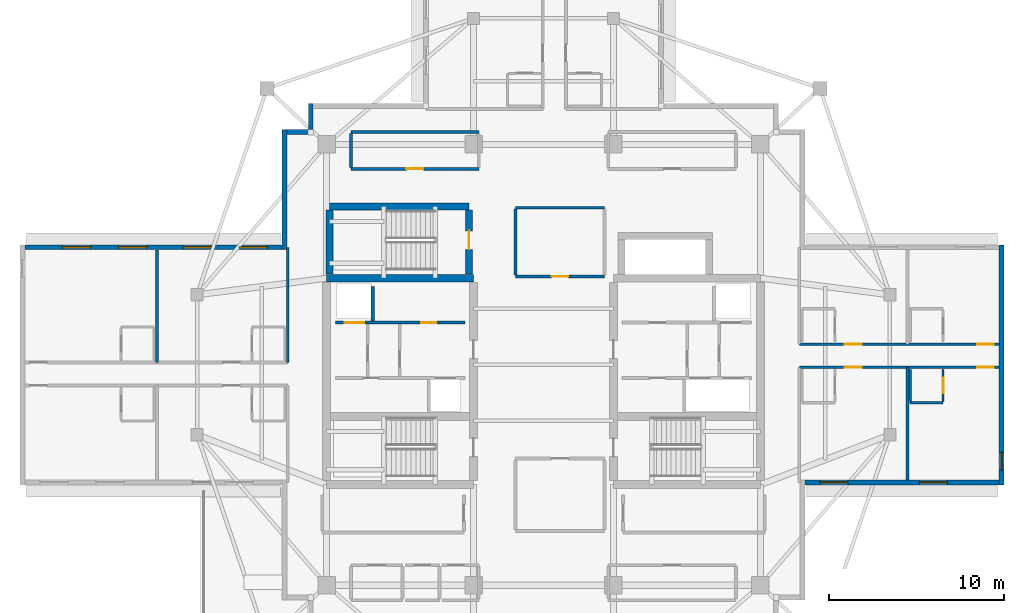
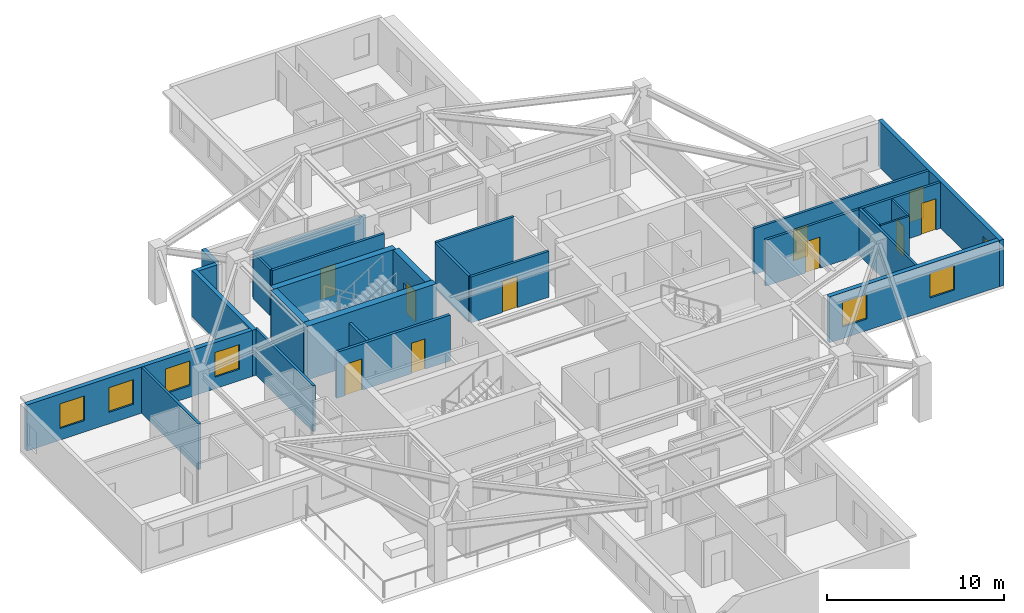
# One storey, part 6 of 12: 26 walls, 10 doors, 7 windows, 17 openings.
"""IFC4 building model written with IfcOpenShell, lengths in metres."""

from ifc_helpers import new_model, si_unit, direction, frame, frame_2d, origin, place, context, subcontext, project, spatial, rectangle, extrude, material, layer, layer_set, type_object, element, fill, save


model = new_model("IFC4")

# Units and contexts
model_context = context("Model", 3, precision=1e-05, world=origin(), true_north=direction((0.0, 1.0)))
body_context = subcontext(model_context, "Body", "Model", "MODEL_VIEW")
ifc_project = project(units=[si_unit("LENGTHUNIT", "METRE"), si_unit("AREAUNIT", "SQUARE_METRE"), si_unit("VOLUMEUNIT", "CUBIC_METRE"), si_unit("PLANEANGLEUNIT", "RADIAN"), si_unit("MASSUNIT", "GRAM", prefix="KILO")], contexts=[model_context])

# Site, building, storey
site_placement = place(None, origin())
site = spatial("IfcSite", under=ifc_project, at=site_placement, CompositionType="ELEMENT")
building_placement = place(site_placement, origin())
building = spatial("IfcBuilding", under=site, at=building_placement, Name="Qingluan Cross Belvedere", CompositionType="ELEMENT")
storey_placement = place(building_placement, frame((0.0, 0.0, 265.5)))
storey = spatial("IfcBuildingStorey", under=building, at=storey_placement, Name="L66", CompositionType="ELEMENT", Elevation=265.5)

# Walls
ifc_material_1 = material(Name="Concrete C50", Category="concrete")
ifc_layer_1 = layer(ifc_material_1, 0.449951171875, Name="CoreShearWall_450")
ifc_layer_set_1 = layer_set([ifc_layer_1], Name="Concrete C50")
wall_type_1 = type_object("IfcWallType", Name="CoreShearWall_450", PredefinedType="SHEAR", material=ifc_layer_set_1)
wall_1_placement = place(storey_placement, frame((-12.39990234375, 4.949951171875, 0.0), z_axis=(0.0, 0.0, 1.0), x_axis=(1.0, 0.0, 0.0)))
element("IfcWall", 1, at=wall_1_placement, inside=storey, type_object=wall_type_1, Name="Split core W shear wall L66-N", PredefinedType="SHEAR", context=body_context, shape_type="SweptSolid", body=[
    extrude(rectangle(XDim=8.39990234375, YDim=0.449951171875, at=frame_2d((4.199951171875, 0.0))), origin(), (0.0, 0.0, 1.0), 3.699951171875),
])
wall_2_placement = place(storey_placement, frame((-12.219970703125, 9.0400390625, 0.0), z_axis=(0.0, 0.0, 1.0), x_axis=(1.0, 0.0, 0.0)))
element("IfcWall", 2, at=wall_2_placement, inside=storey, type_object=wall_type_1, Name="Stair ST3 structural wall N L66", PredefinedType="SHEAR", context=body_context, shape_type="SweptSolid", body=[
    extrude(rectangle(XDim=7.9599609375, YDim=0.39990234375, at=frame_2d((3.97998046875, 0.0))), origin(), (0.0, 0.0, 1.0), 3.699951171875),
])
wall_3_placement = place(storey_placement, frame((-12.219970703125, 5.179931640625, 0.0), z_axis=(0.0, 0.0, 1.0), x_axis=(0.0, 1.0, 0.0)))
element("IfcWall", 3, at=wall_3_placement, inside=storey, type_object=wall_type_1, Name="Stair ST3 structural wall W L66", PredefinedType="SHEAR", context=body_context, shape_type="SweptSolid", body=[
    extrude(rectangle(XDim=3.655029296875, YDim=0.39990234375, at=frame_2d((1.82763671875, 0.0))), origin(), (0.0, 0.0, 1.0), 3.699951171875),
])

# Wall, opening, door
wall_4_placement = place(storey_placement, frame((-4.260009765625, 5.179931640625, 0.0), z_axis=(0.0, 0.0, 1.0), x_axis=(0.0, 1.0, 0.0)))
wall_4 = element("IfcWall", 4, at=wall_4_placement, inside=storey, type_object=wall_type_1, Name="Stair ST3 structural wall E L66", PredefinedType="SHEAR", context=body_context, shape_type="SweptSolid", body=[
    extrude(rectangle(XDim=3.655029296875, YDim=0.39990234375, at=frame_2d((1.82763671875, 0.0))), origin(), (0.0, 0.0, 1.0), 3.699951171875),
])
opening_1_placement = place(wall_4_placement, frame((1.419921875, 0.0, 0.0)))
opening_1 = element("IfcOpeningElement", 5, at=opening_1_placement, cuts=wall_4, Name="Opening FD-B11", PredefinedType="OPENING", context=body_context, shape_type="SweptSolid", body=[
    extrude(rectangle(XDim=1.050048828125, YDim=2.14990234375, at=frame_2d((0.52490234375, 1.074951171875))), frame((0.0, 0.2099609375, 0.0), z_axis=(0.0, -1.0, 0.0), x_axis=(1.0, 0.0, 0.0)), (0.0, 0.0, 1.0), 0.419921875),
])
ifc_material_2 = material(Name="Steel Class B smoke-seal fire door", Category="steel")
door_type_1 = type_object("IfcDoorType", Name="StairLobbyFireDoor_FDB", OperationType="NOTDEFINED", PredefinedType="DOOR", material=ifc_material_2)
door_1_placement = place(opening_1_placement, origin())
door_1 = element("IfcDoor", 6, at=door_1_placement, inside=storey, type_object=door_type_1, Name="Smoke-proof stair ST3 fire door L66", OperationType="SINGLE_SWING_RIGHT", OverallHeight=2.14990234375, OverallWidth=1.050048828125, PredefinedType="DOOR", context=body_context, shape_type="SweptSolid", body=[
    extrude(rectangle(XDim=1.050048828125, YDim=2.14990234375, at=frame_2d((0.52490234375, 1.074951171875))), frame((0.0, 0.02490234375, 0.0), z_axis=(0.0, -1.0, 0.0), x_axis=(1.0, 0.0, 0.0)), (0.0, 0.0, 1.0), 0.050048828125),
])
fill(opening_1, door_1)

ifc_material_3 = material(Name="Gypsum plasterboard on steel stud acoustic partition", Category="steel")
ifc_layer_2 = layer(ifc_material_3, 0.159912109375, Name="CorridorPartition_160")
ifc_layer_set_2 = layer_set([ifc_layer_2], Name="Gypsum plasterboard on steel stud acoustic partition")
wall_type_2 = type_object("IfcWallType", Name="CorridorPartition_160", PredefinedType="PARTITIONING", material=ifc_layer_set_2)
wall_5_placement = place(storey_placement, frame((-11.0, 11.199951171875, 0.0), z_axis=(0.0, 0.0, 1.0), x_axis=(1.0, 0.0, 0.0)))
wall_5 = element("IfcWall", 7, at=wall_5_placement, inside=storey, type_object=wall_type_2, Name="Partition L66:q_nw_occ:S", PredefinedType="PARTITIONING", context=body_context, shape_type="SweptSolid", body=[
    extrude(rectangle(XDim=7.300048828125, YDim=0.159912109375, at=frame_2d((3.64990234375, 0.0))), origin(), (0.0, 0.0, 1.0), 3.169921875),
])
opening_2_placement = place(wall_5_placement, frame((3.169921875, 0.0, 0.0)))
opening_2 = element("IfcOpeningElement", 8, at=opening_2_placement, cuts=wall_5, Name="Opening GD-10", PredefinedType="OPENING", context=body_context, shape_type="SweptSolid", body=[
    extrude(rectangle(XDim=0.9599609375, YDim=2.14990234375, at=frame_2d((0.47998046875, 1.074951171875))), frame((0.0, 0.08984375, 0.0), z_axis=(0.0, -1.0, 0.0), x_axis=(1.0, 0.0, 0.0)), (0.0, 0.0, 1.0), 0.179931640625),
])
ifc_material_4 = material(Name="Timber oak fire-rated acoustic guestroom door", Category="wood")
door_type_2 = type_object("IfcDoorType", Name="GuestEntryDoor_FD60", OperationType="NOTDEFINED", PredefinedType="DOOR", material=ifc_material_4)
door_2_placement = place(opening_2_placement, origin())
door_2 = element("IfcDoor", 9, at=door_2_placement, inside=storey, type_object=door_type_2, Name="Northwest sky reading salon L66 door", OperationType="SINGLE_SWING_RIGHT", OverallHeight=2.14990234375, OverallWidth=0.9599609375, PredefinedType="DOOR", context=body_context, shape_type="SweptSolid", body=[
    extrude(rectangle(XDim=0.9599609375, YDim=2.14990234375, at=frame_2d((0.47998046875, 1.074951171875))), frame((0.0, 0.02490234375, 0.0), z_axis=(0.0, -1.0, 0.0), x_axis=(1.0, 0.0, 0.0)), (0.0, 0.0, 1.0), 0.050048828125),
])
fill(opening_2, door_2)

# Walls
wall_6_placement = place(storey_placement, frame((-11.0, 13.300048828125, 0.0), z_axis=(0.0, 0.0, 1.0), x_axis=(1.0, 0.0, 0.0)))
element("IfcWall", 10, at=wall_6_placement, inside=storey, type_object=wall_type_2, Name="Partition L66:q_nw_occ:N", PredefinedType="PARTITIONING", context=body_context, shape_type="SweptSolid", body=[
    extrude(rectangle(XDim=7.300048828125, YDim=0.159912109375, at=frame_2d((3.64990234375, 0.0))), origin(), (0.0, 0.0, 1.0), 3.169921875),
])
wall_7_placement = place(storey_placement, frame((-11.0, 11.284912109375, 0.0), z_axis=(0.0, 0.0, 1.0), x_axis=(0.0, 1.0, 0.0)))
element("IfcWall", 11, at=wall_7_placement, inside=storey, type_object=wall_type_2, Name="Partition L66:q_nw_occ:W", PredefinedType="PARTITIONING", context=body_context, shape_type="SweptSolid", body=[
    extrude(rectangle(XDim=1.93017578125, YDim=0.159912109375, at=frame_2d((0.965087890625, 0.0))), origin(), (0.0, 0.0, 1.0), 3.169921875),
])

# Wall, opening, door
wall_8_placement = place(storey_placement, frame((-1.60009765625, 5.050048828125, 0.0), z_axis=(0.0, 0.0, 1.0), x_axis=(1.0, 0.0, 0.0)))
wall_8 = element("IfcWall", 12, at=wall_8_placement, inside=storey, type_object=wall_type_2, Name="Partition L66:sky_tea_alcove:S", PredefinedType="PARTITIONING", context=body_context, shape_type="SweptSolid", body=[
    extrude(rectangle(XDim=5.080078125, YDim=0.159912109375, at=frame_2d((2.5400390625, 0.0))), origin(), (0.0, 0.0, 1.0), 3.169921875),
])
opening_3_placement = place(wall_8_placement, frame((2.06005859375, 0.0, 0.0)))
opening_3 = element("IfcOpeningElement", 13, at=opening_3_placement, cuts=wall_8, Name="Opening GD-10", PredefinedType="OPENING", context=body_context, shape_type="SweptSolid", body=[
    extrude(rectangle(XDim=0.9599609375, YDim=2.14990234375, at=frame_2d((0.47998046875, 1.074951171875))), frame((0.0, 0.08984375, 0.0), z_axis=(0.0, -1.0, 0.0), x_axis=(1.0, 0.0, 0.0)), (0.0, 0.0, 1.0), 0.179931640625),
])
door_3_placement = place(opening_3_placement, origin())
door_3 = element("IfcDoor", 14, at=door_3_placement, inside=storey, type_object=door_type_2, Name="Sky horizon tea salon L66 door", OperationType="SINGLE_SWING_RIGHT", OverallHeight=2.14990234375, OverallWidth=0.9599609375, PredefinedType="DOOR", context=body_context, shape_type="SweptSolid", body=[
    extrude(rectangle(XDim=0.9599609375, YDim=2.14990234375, at=frame_2d((0.47998046875, 1.074951171875))), frame((0.0, 0.02490234375, 0.0), z_axis=(0.0, -1.0, 0.0), x_axis=(1.0, 0.0, 0.0)), (0.0, 0.0, 1.0), 0.050048828125),
])
fill(opening_3, door_3)

# Walls
wall_9_placement = place(storey_placement, frame((-1.60009765625, 8.97998046875, 0.0), z_axis=(0.0, 0.0, 1.0), x_axis=(1.0, 0.0, 0.0)))
element("IfcWall", 15, at=wall_9_placement, inside=storey, type_object=wall_type_2, Name="Partition L66:sky_tea_alcove:N", PredefinedType="PARTITIONING", context=body_context, shape_type="SweptSolid", body=[
    extrude(rectangle(XDim=5.080078125, YDim=0.159912109375, at=frame_2d((2.5400390625, 0.0))), origin(), (0.0, 0.0, 1.0), 3.169921875),
])
wall_10_placement = place(storey_placement, frame((-1.60009765625, 5.135009765625, 0.0), z_axis=(0.0, 0.0, 1.0), x_axis=(0.0, 1.0, 0.0)))
element("IfcWall", 16, at=wall_10_placement, inside=storey, type_object=wall_type_2, Name="Partition L66:sky_tea_alcove:W", PredefinedType="PARTITIONING", context=body_context, shape_type="SweptSolid", body=[
    extrude(rectangle(XDim=3.760009765625, YDim=0.159912109375, at=frame_2d((1.8798828125, 0.0))), origin(), (0.0, 0.0, 1.0), 3.169921875),
])

# Wall, openings, doors
wall_11_placement = place(storey_placement, frame((14.6201171875, 1.179931640625, 0.0), z_axis=(0.0, 0.0, 1.0), x_axis=(1.0, 0.0, 0.0)))
wall_11 = element("IfcWall", 17, at=wall_11_placement, inside=storey, type_object=wall_type_2, Name="Partition L66:E:c0", PredefinedType="PARTITIONING", context=body_context, shape_type="SweptSolid", body=[
    extrude(rectangle(XDim=11.411865234375, YDim=0.159912109375, at=frame_2d((5.7060546875, 0.0))), origin(), (0.0, 0.0, 1.0), 3.169921875),
])
opening_4_placement = place(wall_11_placement, frame((2.597900390625, 0.0, 0.0)))
opening_4 = element("IfcOpeningElement", 18, at=opening_4_placement, cuts=wall_11, Name="Opening GD-10", PredefinedType="OPENING", context=body_context, shape_type="SweptSolid", body=[
    extrude(rectangle(XDim=0.9599609375, YDim=2.14990234375, at=frame_2d((0.47998046875, 1.074951171875))), frame((0.0, 0.08984375, 0.0), z_axis=(0.0, -1.0, 0.0), x_axis=(1.0, 0.0, 0.0)), (0.0, 0.0, 1.0), 0.179931640625),
])
opening_5_placement = place(wall_11_placement, frame((10.159912109375, 0.0, 0.0)))
opening_5 = element("IfcOpeningElement", 19, at=opening_5_placement, cuts=wall_11, Name="Opening GD-10", PredefinedType="OPENING", context=body_context, shape_type="SweptSolid", body=[
    extrude(rectangle(XDim=0.9599609375, YDim=2.14990234375, at=frame_2d((0.47998046875, 1.074951171875))), frame((0.0, 0.08984375, 0.0), z_axis=(0.0, -1.0, 0.0), x_axis=(1.0, 0.0, 0.0)), (0.0, 0.0, 1.0), 0.179931640625),
])
door_4_placement = place(opening_4_placement, origin())
door_4 = element("IfcDoor", 20, at=door_4_placement, inside=storey, type_object=door_type_2, Name="Guest entry fire door 6601", OperationType="SINGLE_SWING_RIGHT", OverallHeight=2.14990234375, OverallWidth=0.9599609375, PredefinedType="DOOR", context=body_context, shape_type="SweptSolid", body=[
    extrude(rectangle(XDim=0.9599609375, YDim=2.14990234375, at=frame_2d((0.47998046875, 1.074951171875))), frame((0.0, 0.02490234375, 0.0), z_axis=(0.0, -1.0, 0.0), x_axis=(1.0, 0.0, 0.0)), (0.0, 0.0, 1.0), 0.050048828125),
])
fill(opening_4, door_4)
door_5_placement = place(opening_5_placement, origin())
door_5 = element("IfcDoor", 21, at=door_5_placement, inside=storey, type_object=door_type_2, Name="Guest entry fire door 6602", OperationType="SINGLE_SWING_RIGHT", OverallHeight=2.14990234375, OverallWidth=0.9599609375, PredefinedType="DOOR", context=body_context, shape_type="SweptSolid", body=[
    extrude(rectangle(XDim=0.9599609375, YDim=2.14990234375, at=frame_2d((0.47998046875, 1.074951171875))), frame((0.0, 0.02490234375, 0.0), z_axis=(0.0, -1.0, 0.0), x_axis=(1.0, 0.0, 0.0)), (0.0, 0.0, 1.0), 0.050048828125),
])
fill(opening_5, door_5)

wall_12_placement = place(storey_placement, frame((14.6201171875, -0.139892578125, 0.0), z_axis=(0.0, 0.0, 1.0), x_axis=(1.0, 0.0, 0.0)))
wall_12 = element("IfcWall", 22, at=wall_12_placement, inside=storey, type_object=wall_type_2, Name="Partition L66:E:c1", PredefinedType="PARTITIONING", context=body_context, shape_type="SweptSolid", body=[
    extrude(rectangle(XDim=11.411865234375, YDim=0.159912109375, at=frame_2d((5.7060546875, 0.0))), origin(), (0.0, 0.0, 1.0), 3.169921875),
])
opening_6_placement = place(wall_12_placement, frame((2.597900390625, 0.0, 0.0)))
opening_6 = element("IfcOpeningElement", 23, at=opening_6_placement, cuts=wall_12, Name="Opening GD-10", PredefinedType="OPENING", context=body_context, shape_type="SweptSolid", body=[
    extrude(rectangle(XDim=0.9599609375, YDim=2.14990234375, at=frame_2d((0.47998046875, 1.074951171875))), frame((0.0, 0.08984375, 0.0), z_axis=(0.0, -1.0, 0.0), x_axis=(1.0, 0.0, 0.0)), (0.0, 0.0, 1.0), 0.179931640625),
])
opening_7_placement = place(wall_12_placement, frame((10.159912109375, 0.0, 0.0)))
opening_7 = element("IfcOpeningElement", 24, at=opening_7_placement, cuts=wall_12, Name="Opening GD-10", PredefinedType="OPENING", context=body_context, shape_type="SweptSolid", body=[
    extrude(rectangle(XDim=0.9599609375, YDim=2.14990234375, at=frame_2d((0.47998046875, 1.074951171875))), frame((0.0, 0.08984375, 0.0), z_axis=(0.0, -1.0, 0.0), x_axis=(1.0, 0.0, 0.0)), (0.0, 0.0, 1.0), 0.179931640625),
])
door_6_placement = place(opening_6_placement, origin())
door_6 = element("IfcDoor", 25, at=door_6_placement, inside=storey, type_object=door_type_2, Name="Guest entry fire door 6603", OperationType="SINGLE_SWING_RIGHT", OverallHeight=2.14990234375, OverallWidth=0.9599609375, PredefinedType="DOOR", context=body_context, shape_type="SweptSolid", body=[
    extrude(rectangle(XDim=0.9599609375, YDim=2.14990234375, at=frame_2d((0.47998046875, 1.074951171875))), frame((0.0, 0.02490234375, 0.0), z_axis=(0.0, -1.0, 0.0), x_axis=(1.0, 0.0, 0.0)), (0.0, 0.0, 1.0), 0.050048828125),
])
fill(opening_6, door_6)
door_7_placement = place(opening_7_placement, origin())
door_7 = element("IfcDoor", 26, at=door_7_placement, inside=storey, type_object=door_type_2, Name="Guest entry fire door 6604", OperationType="SINGLE_SWING_RIGHT", OverallHeight=2.14990234375, OverallWidth=0.9599609375, PredefinedType="DOOR", context=body_context, shape_type="SweptSolid", body=[
    extrude(rectangle(XDim=0.9599609375, YDim=2.14990234375, at=frame_2d((0.47998046875, 1.074951171875))), frame((0.0, 0.02490234375, 0.0), z_axis=(0.0, -1.0, 0.0), x_axis=(1.0, 0.0, 0.0)), (0.0, 0.0, 1.0), 0.050048828125),
])
fill(opening_7, door_7)

# Walls
wall_13_placement = place(storey_placement, frame((20.800048828125, -0.139892578125, 0.0), z_axis=(0.0, 0.0, 1.0), x_axis=(0.0, -1.0, 0.0)))
element("IfcWall", 27, at=wall_13_placement, inside=storey, type_object=wall_type_2, Name="Partition L66:E:d1_0", PredefinedType="PARTITIONING", context=body_context, shape_type="SweptSolid", body=[
    extrude(rectangle(XDim=6.43212890625, YDim=0.159912109375, at=frame_2d((3.216064453125, 0.0))), origin(), (0.0, 0.0, 1.0), 3.169921875),
])
wall_14_placement = place(storey_placement, frame((-14.6201171875, 0.139892578125, 0.0), z_axis=(0.0, 0.0, 1.0), x_axis=(0.0, 1.0, 0.0)))
element("IfcWall", 28, at=wall_14_placement, inside=storey, type_object=wall_type_2, Name="Partition L66:W:s0", PredefinedType="PARTITIONING", context=body_context, shape_type="SweptSolid", body=[
    extrude(rectangle(XDim=6.580078125, YDim=0.159912109375, at=frame_2d((3.2900390625, 0.0))), origin(), (0.0, 0.0, 1.0), 3.169921875),
])
wall_15_placement = place(storey_placement, frame((-22.096923828125, 0.139892578125, 0.0), z_axis=(0.0, 0.0, 1.0), x_axis=(0.0, 1.0, 0.0)))
element("IfcWall", 29, at=wall_15_placement, inside=storey, type_object=wall_type_2, Name="Partition L66:W:d0_0", PredefinedType="PARTITIONING", context=body_context, shape_type="SweptSolid", body=[
    extrude(rectangle(XDim=6.43212890625, YDim=0.159912109375, at=frame_2d((3.216064453125, 0.0))), origin(), (0.0, 0.0, 1.0), 3.169921875),
])

# Wall, opening, door
ifc_material_5 = material(Name="Moisture-resistant gypsum board lining")
ifc_layer_3 = layer(ifc_material_5, 0.1201171875, Name="EnsuiteWetPartition_120")
ifc_layer_set_3 = layer_set([ifc_layer_3], Name="Moisture-resistant gypsum board lining")
wall_type_3 = type_object("IfcWallType", Name="EnsuiteWetPartition_120", PredefinedType="PARTITIONING", material=ifc_layer_set_3)
wall_16_placement = place(storey_placement, frame((22.840087890625, -2.10009765625, 0.0), z_axis=(0.0, 0.0, 1.0), x_axis=(0.0, 1.0, 0.0)))
wall_16 = element("IfcWall", 30, at=wall_16_placement, inside=storey, type_object=wall_type_3, Name="Partition L66:E:bs1_1", PredefinedType="PARTITIONING", context=body_context, shape_type="SweptSolid", body=[
    extrude(rectangle(XDim=1.820068359375, YDim=0.1201171875, at=frame_2d((0.91015625, 0.0))), origin(), (0.0, 0.0, 1.0), 3.169921875),
])
opening_8_placement = place(wall_16_placement, frame((0.469970703125, 0.0, 0.0)))
opening_8 = element("IfcOpeningElement", 31, at=opening_8_placement, cuts=wall_16, Name="Opening BD-09", PredefinedType="OPENING", context=body_context, shape_type="SweptSolid", body=[
    extrude(rectangle(XDim=0.8798828125, YDim=2.10009765625, at=frame_2d((0.43994140625, 1.050048828125))), frame((0.0, 0.070068359375, 0.0), z_axis=(0.0, -1.0, 0.0), x_axis=(1.0, 0.0, 0.0)), (0.0, 0.0, 1.0), 0.14013671875),
])
ifc_material_6 = material(Name="Moisture-sealed timber en-suite door", Category="wood")
door_type_3 = type_object("IfcDoorType", Name="BathroomDoor_880", OperationType="NOTDEFINED", PredefinedType="DOOR", material=ifc_material_6)
door_8_placement = place(opening_8_placement, origin())
door_8 = element("IfcDoor", 32, at=door_8_placement, inside=storey, type_object=door_type_3, Name="Bathroom door 6604", OperationType="SINGLE_SWING_LEFT", OverallHeight=2.10009765625, OverallWidth=0.8798828125, PredefinedType="DOOR", context=body_context, shape_type="SweptSolid", body=[
    extrude(rectangle(XDim=0.8798828125, YDim=2.10009765625, at=frame_2d((0.43994140625, 1.050048828125))), frame((0.0, 0.02490234375, 0.0), z_axis=(0.0, -1.0, 0.0), x_axis=(1.0, 0.0, 0.0)), (0.0, 0.0, 1.0), 0.050048828125),
])
fill(opening_8, door_8)

# Walls
wall_17_placement = place(storey_placement, frame((20.9599609375, -2.10009765625, 0.0), z_axis=(0.0, 0.0, 1.0), x_axis=(0.0, 1.0, 0.0)))
element("IfcWall", 33, at=wall_17_placement, inside=storey, type_object=wall_type_3, Name="Partition L66:E:bw1_1", PredefinedType="PARTITIONING", context=body_context, shape_type="SweptSolid", body=[
    extrude(rectangle(XDim=1.820068359375, YDim=0.1201171875, at=frame_2d((0.91015625, 0.0))), origin(), (0.0, 0.0, 1.0), 3.169921875),
])
wall_18_placement = place(storey_placement, frame((20.9599609375, -2.1650390625, 0.0), z_axis=(0.0, 0.0, 1.0), x_axis=(1.0, 0.0, 0.0)))
element("IfcWall", 34, at=wall_18_placement, inside=storey, type_object=wall_type_3, Name="Partition L66:E:bc1_1", PredefinedType="PARTITIONING", context=body_context, shape_type="SweptSolid", body=[
    extrude(rectangle(XDim=1.880126953125, YDim=0.1201171875, at=frame_2d((0.93994140625, 0.0))), origin(), (0.0, 0.0, 1.0), 3.169921875),
])

# Wall, openings, windows
ifc_material_7 = material(Name="Precast concrete C45", Category="concrete")
ifc_layer_4 = layer(ifc_material_7, 0.280029296875, Name="PrecastFacadeWall_280")
ifc_layer_set_4 = layer_set([ifc_layer_4], Name="Precast concrete C45")
wall_type_4 = type_object("IfcWallType", Name="PrecastFacadeWall_280", PredefinedType="STANDARD", material=ifc_layer_set_4)
wall_19_placement = place(storey_placement, frame((14.93994140625, -6.719970703125, 0.0), z_axis=(0.0, 0.0, 1.0), x_axis=(1.0, 0.0, 0.0)))
wall_19 = element("IfcWall", 35, at=wall_19_placement, inside=storey, type_object=wall_type_4, Name="Facade wall L66-EA", PredefinedType="STANDARD", context=body_context, shape_type="SweptSolid", body=[
    extrude(rectangle(XDim=11.10009765625, YDim=0.280029296875, at=frame_2d((5.550048828125, 0.0))), origin(), (0.0, 0.0, 1.0), 3.179931640625),
])
opening_9_placement = place(wall_19_placement, frame((0.85009765625, 0.0, 0.800048828125)))
opening_9 = element("IfcOpeningElement", 36, at=opening_9_placement, cuts=wall_19, Name="Opening W-04", PredefinedType="OPENING", context=body_context, shape_type="SweptSolid", body=[
    extrude(rectangle(XDim=1.60009765625, YDim=1.699951171875, at=frame_2d((0.800048828125, 0.85009765625))), frame((0.0, 0.14990234375, 0.0), z_axis=(0.0, -1.0, 0.0), x_axis=(1.0, 0.0, 0.0)), (0.0, 0.0, 1.0), 0.300048828125),
])
opening_10_placement = place(wall_19_placement, frame((6.550048828125, 0.0, 0.800048828125)))
opening_10 = element("IfcOpeningElement", 37, at=opening_10_placement, cuts=wall_19, Name="Opening W-04", PredefinedType="OPENING", context=body_context, shape_type="SweptSolid", body=[
    extrude(rectangle(XDim=1.60009765625, YDim=1.699951171875, at=frame_2d((0.800048828125, 0.85009765625))), frame((0.0, 0.14990234375, 0.0), z_axis=(0.0, -1.0, 0.0), x_axis=(1.0, 0.0, 0.0)), (0.0, 0.0, 1.0), 0.300048828125),
])
ifc_material_8 = material(Name="Thermally broken triple Low-E glass in aluminium frame", Category="aluminium")
window_type_1 = type_object("IfcWindowType", Name="SuiteCornerWin_1600x1700", PartitioningType="SINGLE_PANEL", PredefinedType="WINDOW", material=ifc_material_8)
window_1_placement = place(opening_9_placement, origin())
window_1 = element("IfcWindow", 38, at=window_1_placement, inside=storey, type_object=window_type_1, Name="Ribbon window L66-EA-1", OverallHeight=1.699951171875, OverallWidth=1.60009765625, PartitioningType="SINGLE_PANEL", PredefinedType="WINDOW", context=body_context, shape_type="SweptSolid", body=[
    extrude(rectangle(XDim=1.60009765625, YDim=1.699951171875, at=frame_2d((0.800048828125, 0.85009765625))), frame((0.0, 0.030029296875, 0.0), z_axis=(0.0, -1.0, 0.0), x_axis=(1.0, 0.0, 0.0)), (0.0, 0.0, 1.0), 0.06005859375),
])
fill(opening_9, window_1)
window_2_placement = place(opening_10_placement, origin())
window_2 = element("IfcWindow", 39, at=window_2_placement, inside=storey, type_object=window_type_1, Name="Ribbon window L66-EA-2", OverallHeight=1.699951171875, OverallWidth=1.60009765625, PartitioningType="SINGLE_PANEL", PredefinedType="WINDOW", context=body_context, shape_type="SweptSolid", body=[
    extrude(rectangle(XDim=1.60009765625, YDim=1.699951171875, at=frame_2d((0.800048828125, 0.85009765625))), frame((0.0, 0.030029296875, 0.0), z_axis=(0.0, -1.0, 0.0), x_axis=(1.0, 0.0, 0.0)), (0.0, 0.0, 1.0), 0.06005859375),
])
fill(opening_10, window_2)

# Wall, opening, window
wall_20_placement = place(storey_placement, frame((26.179931640625, -6.860107421875, 0.0), z_axis=(0.0, 0.0, 1.0), x_axis=(0.0, 1.0, 0.0)))
wall_20 = element("IfcWall", 40, at=wall_20_placement, inside=storey, type_object=wall_type_4, Name="Arm tip precast facade wall L66-E", PredefinedType="STANDARD", context=body_context, shape_type="SweptSolid", body=[
    extrude(rectangle(XDim=13.72021484375, YDim=0.280029296875, at=frame_2d((6.860107421875, 0.0))), origin(), (0.0, 0.0, 1.0), 3.179931640625),
])
opening_11_placement = place(wall_20_placement, frame((0.85009765625, 0.0, 0.85009765625)))
opening_11 = element("IfcOpeningElement", 41, at=opening_11_placement, cuts=wall_20, Name="Opening W-03", PredefinedType="OPENING", context=body_context, shape_type="SweptSolid", body=[
    extrude(rectangle(XDim=1.0, YDim=1.5, at=frame_2d((0.5, 0.75))), frame((0.0, 0.14990234375, 0.0), z_axis=(0.0, -1.0, 0.0), x_axis=(1.0, 0.0, 0.0)), (0.0, 0.0, 1.0), 0.300048828125),
])
ifc_material_9 = material(Name="Thermally broken triple Low-E glass in aluminium frame", Category="aluminium")
window_type_2 = type_object("IfcWindowType", Name="TriApexWin_1000x1500", PartitioningType="SINGLE_PANEL", PredefinedType="WINDOW", material=ifc_material_9)
window_3_placement = place(opening_11_placement, origin())
window_3 = element("IfcWindow", 42, at=window_3_placement, inside=storey, type_object=window_type_2, Name="Arm tip triangular window L66-E", OverallHeight=1.5, OverallWidth=1.0, PartitioningType="SINGLE_PANEL", PredefinedType="WINDOW", context=body_context, shape_type="SweptSolid", body=[
    extrude(rectangle(XDim=1.0, YDim=1.5, at=frame_2d((0.5, 0.75))), frame((0.0, 0.030029296875, 0.0), z_axis=(0.0, -1.0, 0.0), x_axis=(1.0, 0.0, 0.0)), (0.0, 0.0, 1.0), 0.06005859375),
])
fill(opening_11, window_3)

# Wall, openings, windows
wall_21_placement = place(storey_placement, frame((-14.93994140625, 6.719970703125, 0.0), z_axis=(0.0, 0.0, 1.0), x_axis=(-1.0, 0.0, 0.0)))
wall_21 = element("IfcWall", 43, at=wall_21_placement, inside=storey, type_object=wall_type_4, Name="Facade wall L66-WA", PredefinedType="STANDARD", context=body_context, shape_type="SweptSolid", body=[
    extrude(rectangle(XDim=14.699951171875, YDim=0.280029296875, at=frame_2d((7.35009765625, 0.0))), origin(), (0.0, 0.0, 1.0), 3.179931640625),
])
opening_12_placement = place(wall_21_placement, frame((0.85009765625, 0.0, 0.800048828125)))
opening_12 = element("IfcOpeningElement", 44, at=opening_12_placement, cuts=wall_21, Name="Opening W-04", PredefinedType="OPENING", context=body_context, shape_type="SweptSolid", body=[
    extrude(rectangle(XDim=1.60009765625, YDim=1.699951171875, at=frame_2d((0.800048828125, 0.85009765625))), frame((0.0, 0.14990234375, 0.0), z_axis=(0.0, -1.0, 0.0), x_axis=(1.0, 0.0, 0.0)), (0.0, 0.0, 1.0), 0.300048828125),
])
opening_13_placement = place(wall_21_placement, frame((4.050048828125, 0.0, 0.800048828125)))
opening_13 = element("IfcOpeningElement", 45, at=opening_13_placement, cuts=wall_21, Name="Opening W-04", PredefinedType="OPENING", context=body_context, shape_type="SweptSolid", body=[
    extrude(rectangle(XDim=1.60009765625, YDim=1.699951171875, at=frame_2d((0.800048828125, 0.85009765625))), frame((0.0, 0.14990234375, 0.0), z_axis=(0.0, -1.0, 0.0), x_axis=(1.0, 0.0, 0.0)), (0.0, 0.0, 1.0), 0.300048828125),
])
opening_14_placement = place(wall_21_placement, frame((7.75, 0.0, 0.800048828125)))
opening_14 = element("IfcOpeningElement", 46, at=opening_14_placement, cuts=wall_21, Name="Opening W-04", PredefinedType="OPENING", context=body_context, shape_type="SweptSolid", body=[
    extrude(rectangle(XDim=1.60009765625, YDim=1.699951171875, at=frame_2d((0.800048828125, 0.85009765625))), frame((0.0, 0.14990234375, 0.0), z_axis=(0.0, -1.0, 0.0), x_axis=(1.0, 0.0, 0.0)), (0.0, 0.0, 1.0), 0.300048828125),
])
opening_15_placement = place(wall_21_placement, frame((10.949951171875, 0.0, 0.800048828125)))
opening_15 = element("IfcOpeningElement", 47, at=opening_15_placement, cuts=wall_21, Name="Opening W-04", PredefinedType="OPENING", context=body_context, shape_type="SweptSolid", body=[
    extrude(rectangle(XDim=1.60009765625, YDim=1.699951171875, at=frame_2d((0.800048828125, 0.85009765625))), frame((0.0, 0.14990234375, 0.0), z_axis=(0.0, -1.0, 0.0), x_axis=(1.0, 0.0, 0.0)), (0.0, 0.0, 1.0), 0.300048828125),
])
window_4_placement = place(opening_12_placement, origin())
window_4 = element("IfcWindow", 48, at=window_4_placement, inside=storey, type_object=window_type_1, Name="Ribbon window L66-WA-1", OverallHeight=1.699951171875, OverallWidth=1.60009765625, PartitioningType="SINGLE_PANEL", PredefinedType="WINDOW", context=body_context, shape_type="SweptSolid", body=[
    extrude(rectangle(XDim=1.60009765625, YDim=1.699951171875, at=frame_2d((0.800048828125, 0.85009765625))), frame((0.0, 0.030029296875, 0.0), z_axis=(0.0, -1.0, 0.0), x_axis=(1.0, 0.0, 0.0)), (0.0, 0.0, 1.0), 0.06005859375),
])
fill(opening_12, window_4)
window_5_placement = place(opening_13_placement, origin())
window_5 = element("IfcWindow", 49, at=window_5_placement, inside=storey, type_object=window_type_1, Name="Ribbon window L66-WA-2", OverallHeight=1.699951171875, OverallWidth=1.60009765625, PartitioningType="SINGLE_PANEL", PredefinedType="WINDOW", context=body_context, shape_type="SweptSolid", body=[
    extrude(rectangle(XDim=1.60009765625, YDim=1.699951171875, at=frame_2d((0.800048828125, 0.85009765625))), frame((0.0, 0.030029296875, 0.0), z_axis=(0.0, -1.0, 0.0), x_axis=(1.0, 0.0, 0.0)), (0.0, 0.0, 1.0), 0.06005859375),
])
fill(opening_13, window_5)
window_6_placement = place(opening_14_placement, origin())
window_6 = element("IfcWindow", 50, at=window_6_placement, inside=storey, type_object=window_type_1, Name="Ribbon window L66-WA-3", OverallHeight=1.699951171875, OverallWidth=1.60009765625, PartitioningType="SINGLE_PANEL", PredefinedType="WINDOW", context=body_context, shape_type="SweptSolid", body=[
    extrude(rectangle(XDim=1.60009765625, YDim=1.699951171875, at=frame_2d((0.800048828125, 0.85009765625))), frame((0.0, 0.030029296875, 0.0), z_axis=(0.0, -1.0, 0.0), x_axis=(1.0, 0.0, 0.0)), (0.0, 0.0, 1.0), 0.06005859375),
])
fill(opening_14, window_6)
window_7_placement = place(opening_15_placement, origin())
window_7 = element("IfcWindow", 51, at=window_7_placement, inside=storey, type_object=window_type_1, Name="Ribbon window L66-WA-4", OverallHeight=1.699951171875, OverallWidth=1.60009765625, PartitioningType="SINGLE_PANEL", PredefinedType="WINDOW", context=body_context, shape_type="SweptSolid", body=[
    extrude(rectangle(XDim=1.60009765625, YDim=1.699951171875, at=frame_2d((0.800048828125, 0.85009765625))), frame((0.0, 0.030029296875, 0.0), z_axis=(0.0, -1.0, 0.0), x_axis=(1.0, 0.0, 0.0)), (0.0, 0.0, 1.0), 0.06005859375),
])
fill(opening_15, window_7)

# Walls
wall_22_placement = place(storey_placement, frame((-14.800048828125, 6.580078125, 0.0), z_axis=(0.0, 0.0, 1.0), x_axis=(0.0, 1.0, 0.0)))
element("IfcWall", 52, at=wall_22_placement, inside=storey, type_object=wall_type_4, Name="Corner wall L66-NW1", PredefinedType="STANDARD", context=body_context, shape_type="SweptSolid", body=[
    extrude(rectangle(XDim=6.85986328125, YDim=0.280029296875, at=frame_2d((3.429931640625, 0.0))), origin(), (0.0, 0.0, 1.0), 3.179931640625),
])
wall_23_placement = place(storey_placement, frame((-14.659912109375, 13.300048828125, 0.0), z_axis=(0.0, 0.0, 1.0), x_axis=(1.0, 0.0, 0.0)))
element("IfcWall", 53, at=wall_23_placement, inside=storey, type_object=wall_type_4, Name="Corner wall L66-NW2", PredefinedType="STANDARD", context=body_context, shape_type="SweptSolid", body=[
    extrude(rectangle(XDim=1.219970703125, YDim=0.280029296875, at=frame_2d((0.60986328125, 0.0))), origin(), (0.0, 0.0, 1.0), 3.179931640625),
])
wall_24_placement = place(storey_placement, frame((-13.300048828125, 13.43994140625, 0.0), z_axis=(0.0, 0.0, 1.0), x_axis=(0.0, 1.0, 0.0)))
element("IfcWall", 54, at=wall_24_placement, inside=storey, type_object=wall_type_4, Name="Corner wall L66-NW3", PredefinedType="STANDARD", context=body_context, shape_type="SweptSolid", body=[
    extrude(rectangle(XDim=1.5, YDim=0.280029296875, at=frame_2d((0.75, 0.0))), origin(), (0.0, 0.0, 1.0), 3.179931640625),
])

# Wall, openings, doors
ifc_material_10 = material(Name="Concrete C40", Category="concrete")
ifc_layer_5 = layer(ifc_material_10, 0.219970703125, Name="ShaftEnclosureWall_250")
ifc_layer_set_5 = layer_set([ifc_layer_5], Name="Concrete C40")
wall_type_5 = type_object("IfcWallType", Name="ShaftEnclosureWall_250", PredefinedType="SOLIDWALL", material=ifc_layer_set_5)
wall_25_placement = place(storey_placement, frame((-11.89990234375, 2.409912109375, 0.0), z_axis=(0.0, 0.0, 1.0), x_axis=(1.0, 0.0, 0.0)))
wall_25 = element("IfcWall", 55, at=wall_25_placement, inside=storey, type_object=wall_type_5, Name="Core-W north hoistway wall L66", PredefinedType="SOLIDWALL", context=body_context, shape_type="SweptSolid", body=[
    extrude(rectangle(XDim=7.419921875, YDim=0.179931640625, at=frame_2d((3.7099609375, 0.0))), origin(), (0.0, 0.0, 1.0), 3.169921875),
])
opening_16_placement = place(wall_25_placement, frame((0.550048828125, 0.0, 0.0)))
opening_16 = element("IfcOpeningElement", 56, at=opening_16_placement, cuts=wall_25, Name="Opening LD-11", PredefinedType="OPENING", context=body_context, shape_type="SweptSolid", body=[
    extrude(rectangle(XDim=1.10009765625, YDim=2.14990234375, at=frame_2d((0.550048828125, 1.074951171875))), frame((0.0, 0.099853515625, 0.0), z_axis=(0.0, -1.0, 0.0), x_axis=(1.0, 0.0, 0.0)), (0.0, 0.0, 1.0), 0.199951171875),
])
opening_17_placement = place(wall_25_placement, frame((4.89990234375, 0.0, 0.0)))
opening_17 = element("IfcOpeningElement", 57, at=opening_17_placement, cuts=wall_25, Name="Opening FD-B10", PredefinedType="OPENING", context=body_context, shape_type="SweptSolid", body=[
    extrude(rectangle(XDim=0.8798828125, YDim=2.10009765625, at=frame_2d((0.43994140625, 1.050048828125))), frame((0.0, 0.099853515625, 0.0), z_axis=(0.0, -1.0, 0.0), x_axis=(1.0, 0.0, 0.0)), (0.0, 0.0, 1.0), 0.199951171875),
])
ifc_material_11 = material(Name="Brushed stainless steel centre-opening lift landing door", Category="steel")
door_type_4 = type_object("IfcDoorType", Name="LiftLandingSlidingDoor_1100", OperationType="DOUBLE_DOOR_SLIDING", PredefinedType="DOOR", material=ifc_material_11)
door_9_placement = place(opening_16_placement, origin())
door_9 = element("IfcDoor", 58, at=door_9_placement, inside=storey, type_object=door_type_4, Name="Lift landing sliding door FL1 L66", OperationType="DOUBLE_DOOR_SLIDING", OverallHeight=2.14990234375, OverallWidth=1.10009765625, PredefinedType="DOOR", context=body_context, shape_type="SweptSolid", body=[
    extrude(rectangle(XDim=1.10009765625, YDim=2.14990234375, at=frame_2d((0.550048828125, 1.074951171875))), frame((0.0, 0.02490234375, 0.0), z_axis=(0.0, -1.0, 0.0), x_axis=(1.0, 0.0, 0.0)), (0.0, 0.0, 1.0), 0.050048828125),
])
fill(opening_16, door_9)
ifc_material_12 = material(Name="Steel Class B service fire door", Category="steel")
door_type_5 = type_object("IfcDoorType", Name="RiserServiceFireDoor_FDB", OperationType="NOTDEFINED", PredefinedType="DOOR", material=ifc_material_12)
door_10_placement = place(opening_17_placement, origin())
door_10 = element("IfcDoor", 59, at=door_10_placement, inside=storey, type_object=door_type_5, Name="Housekeeping supply room door W L66", OperationType="SINGLE_SWING_LEFT", OverallHeight=2.10009765625, OverallWidth=0.8798828125, PredefinedType="DOOR", context=body_context, shape_type="SweptSolid", body=[
    extrude(rectangle(XDim=0.8798828125, YDim=2.10009765625, at=frame_2d((0.43994140625, 1.050048828125))), frame((0.0, 0.02490234375, 0.0), z_axis=(0.0, -1.0, 0.0), x_axis=(1.0, 0.0, 0.0)), (0.0, 0.0, 1.0), 0.050048828125),
])
fill(opening_17, door_10)

# Wall
wall_26_placement = place(storey_placement, frame((-9.760009765625, 2.5, 0.0), z_axis=(0.0, 0.0, 1.0), x_axis=(0.0, 1.0, 0.0)))
element("IfcWall", 60, at=wall_26_placement, inside=storey, type_object=wall_type_5, Name="Hoistway enclosure divider FL1E L66", PredefinedType="SOLIDWALL", context=body_context, shape_type="SweptSolid", body=[
    extrude(rectangle(XDim=1.989990234375, YDim=0.179931640625, at=frame_2d((0.9951171875, 0.0))), origin(), (0.0, 0.0, 1.0), 3.169921875),
])

save(model, "model.ifc")
